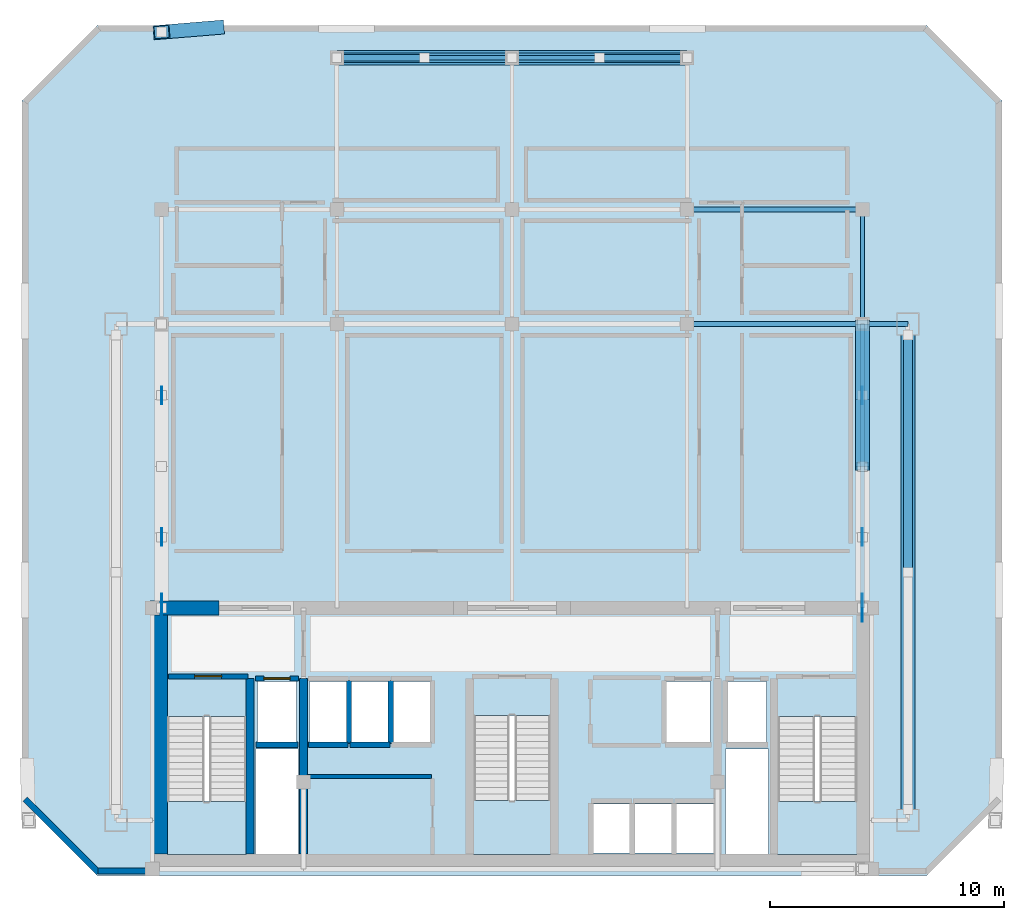
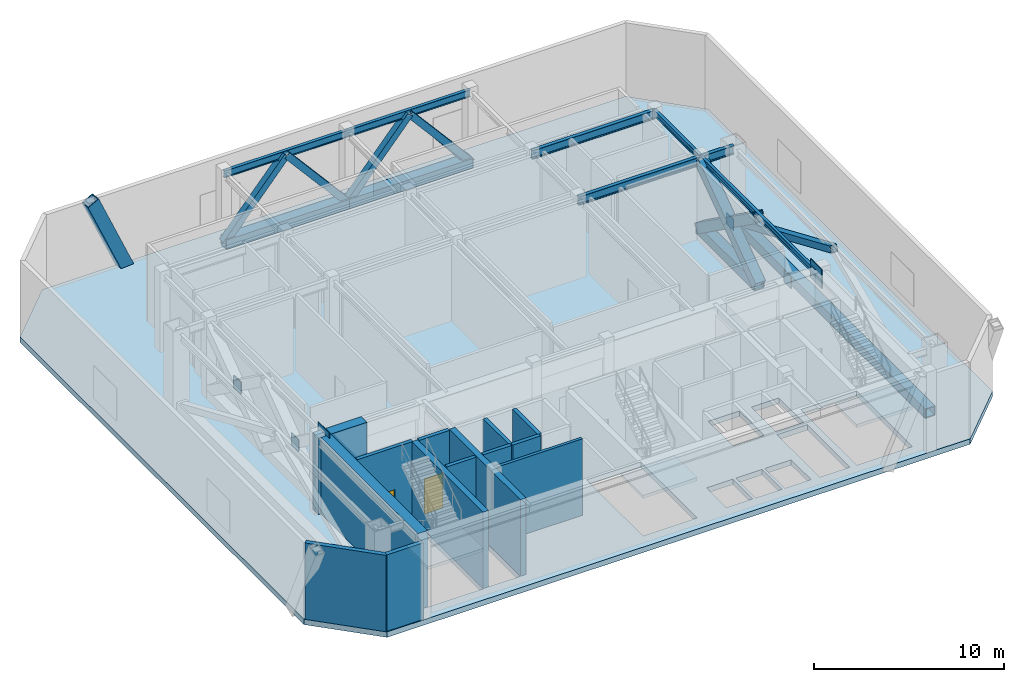
# One storey, part 2 of 7: 15 members, 14 walls, 7 beams, 6 plates, 4 slabs, 2 doors, 2 openings, 3 elements without a shape of their own.
"""IFC4 building model written with IfcOpenShell, lengths in metres."""

from ifc_helpers import new_model, si_unit, direction, frame, frame_2d, origin, origin_2d, place, context, subcontext, project, spatial, polyline, rectangle, hollow_rectangle, hollow_circle, i_section, outline, extrude, material, layer, layer_set, material_profile, profile_set, type_object, element, fill, aggregate, save


model = new_model("IFC4")

# Units and contexts
model_context = context("Model", 3, precision=1e-05, world=origin(), true_north=direction((0.0, 1.0)))
body_context = subcontext(model_context, "Body", "Model", "MODEL_VIEW")
ifc_project = project(units=[si_unit("LENGTHUNIT", "METRE"), si_unit("AREAUNIT", "SQUARE_METRE"), si_unit("VOLUMEUNIT", "CUBIC_METRE"), si_unit("PLANEANGLEUNIT", "RADIAN"), si_unit("MASSUNIT", "GRAM", prefix="KILO")], contexts=[model_context])

# Site, building, storey
site_placement = place(None, origin())
site = spatial("IfcSite", under=ifc_project, at=site_placement, CompositionType="ELEMENT")
building_placement = place(site_placement, origin())
building = spatial("IfcBuilding", under=site, at=building_placement, Name="Ventersveld Concourse Tower", CompositionType="ELEMENT")
storey_placement = place(building_placement, frame((0.0, 0.0, 246.5)))
storey = spatial("IfcBuildingStorey", under=building, at=storey_placement, Name="L61", CompositionType="ELEMENT", Elevation=246.5)

# Members
ifc_material_1 = material(Name="Structural steel S355ML", Category="steel")
ifc_material_profile_1 = material_profile(ifc_material_1, hollow_rectangle(XDim=0.39990234375, YDim=0.39990234375, WallThickness=0.02001953125, at=origin_2d()), Name="SHS 400x400x20")
ifc_profile_set_1 = profile_set([ifc_material_profile_1], Name="Structural steel S355ML")
member_type_1 = type_object("IfcMemberType", Name="BLT-BR-400", PredefinedType="BRACE", material=ifc_profile_set_1)
for number, where, z_axis, x_axis, name in (
    (1, (21.25, 35.0, 0.300048828125), (0.651231204404, 0.0, 0.758879383309), (0.0, 1.0, 0.0), "L61 Belt Truss Chevron Diagonal N1-1"),
    (2, (28.75, 35.0, 0.300048828125), (-0.651231204404, 0.0, 0.758879383309), (0.0, -1.0, 0.0), "L61 Belt Truss Chevron Diagonal N1-2"),
    (3, (28.75, 35.0, 0.300048828125), (0.651231204404, 0.0, 0.758879383309), (0.0, 1.0, 0.0), "L61 Belt Truss Chevron Diagonal N2-1"),
    (4, (36.25, 35.0, 0.300048828125), (-0.651231204404, 0.0, 0.758879383309), (0.0, -1.0, 0.0), "L61 Belt Truss Chevron Diagonal N2-2"),
):
    element("IfcMember", number, at=place(storey_placement, frame(where, z_axis=z_axis, x_axis=x_axis)), inside=storey, type_object=member_type_1, Name=name, PredefinedType="BRACE", context=body_context, shape_type="SweptSolid", body=[
        extrude(hollow_rectangle(XDim=0.39990234375, YDim=0.39990234375, WallThickness=0.02001953125, at=origin_2d()), origin(), (0.0, 0.0, 1.0), 5.75830078125),
    ])
member_1_placement = place(storey_placement, frame((45.699951171875, 23.1298828125, 0.300048828125), z_axis=(0.0, -0.918560318983, 0.395280837368), x_axis=(1.0, 0.0, 0.0)))
element("IfcMember", 5, at=member_1_placement, inside=storey, type_object=member_type_1, Name="L61 Belt Truss Chevron Diagonal E1-2", PredefinedType="BRACE", context=body_context, shape_type="SweptSolid", body=[
    extrude(hollow_rectangle(XDim=0.39990234375, YDim=0.39990234375, WallThickness=0.02001953125, at=origin_2d()), origin(), (0.0, 0.0, 1.0), 11.05517578125),
])

# Beams
ifc_material_2 = material(Name="Structural steel S355J2", Category="steel")
ifc_material_profile_2 = material_profile(ifc_material_2, i_section(OverallWidth=0.17138671875, OverallDepth=0.35498046875, WebThickness=0.00732421875, FlangeThickness=0.011474609375, FilletRadius=0.01025390625, at=origin_2d()), Name="UB 356x171x51")
ifc_profile_set_2 = profile_set([ifc_material_profile_2], Name="Structural steel S355J2")
beam_type_1 = type_object("IfcBeamType", Name="BM-UB356", PredefinedType="BEAM", material=ifc_profile_set_2)
beam_1_placement = place(storey_placement, frame((43.75, 11.449951171875, 4.742431640625), z_axis=(0.0, 1.0, 0.0), x_axis=(-1.0, 0.0, 0.0)))
element("IfcBeam", 6, at=beam_1_placement, inside=storey, type_object=beam_type_1, Name="L61 N-S Composite Floor Beam South X=43.75", PredefinedType="BEAM", context=body_context, shape_type="SweptSolid", body=[
    extrude(i_section(OverallWidth=0.17138671875, OverallDepth=0.35498046875, WebThickness=0.00732421875, FlangeThickness=0.011474609375, FilletRadius=0.01025390625, at=origin_2d()), origin(), (0.0, 0.0, 1.0), 12.150146484375),
])
beam_2_placement = place(storey_placement, frame((43.75, 23.60009765625, 4.742431640625), z_axis=(0.0, 1.0, 0.0), x_axis=(-1.0, 0.0, 0.0)))
element("IfcBeam", 7, at=beam_2_placement, inside=storey, type_object=beam_type_1, Name="L61 N-S Upper-Zone Floor Beam X=43.75", PredefinedType="BEAM", context=body_context, shape_type="SweptSolid", body=[
    extrude(i_section(OverallWidth=0.17138671875, OverallDepth=0.35498046875, WebThickness=0.00732421875, FlangeThickness=0.011474609375, FilletRadius=0.01025390625, at=origin_2d()), origin(), (0.0, 0.0, 1.0), 4.89990234375),
])
ifc_material_profile_3 = material_profile(ifc_material_2, i_section(OverallWidth=0.2119140625, OverallDepth=0.54443359375, WebThickness=0.0126953125, FlangeThickness=0.021240234375, FilletRadius=0.0126953125, at=origin_2d()), Name="UB 533x210x122")
ifc_profile_set_3 = profile_set([ifc_material_profile_3], Name="Structural steel S355J2")
beam_type_2 = type_object("IfcBeamType", Name="GRD-UB533H", PredefinedType="T_BEAM", material=ifc_profile_set_3)
beam_3_placement = place(storey_placement, frame((36.25, 23.60009765625, 4.647705078125), z_axis=(1.0, 0.0, 0.0), x_axis=(0.0, 1.0, 0.0)))
element("IfcBeam", 8, at=beam_3_placement, inside=storey, type_object=beam_type_2, Name="L61 Primary E-W Grid Girder Y=23.60 #5", PredefinedType="T_BEAM", context=body_context, shape_type="SweptSolid", body=[
    extrude(i_section(OverallWidth=0.2119140625, OverallDepth=0.54443359375, WebThickness=0.0126953125, FlangeThickness=0.021240234375, FilletRadius=0.0126953125, at=origin_2d()), origin(), (0.0, 0.0, 1.0), 7.5),
])
beam_4_placement = place(storey_placement, frame((43.75, 23.60009765625, 4.647705078125), z_axis=(1.0, 0.0, 0.0), x_axis=(0.0, 1.0, 0.0)))
element("IfcBeam", 9, at=beam_4_placement, inside=storey, type_object=beam_type_2, Name="L61 Primary E-W Grid Girder Y=23.60 #6", PredefinedType="T_BEAM", context=body_context, shape_type="SweptSolid", body=[
    extrude(i_section(OverallWidth=0.2119140625, OverallDepth=0.54443359375, WebThickness=0.0126953125, FlangeThickness=0.021240234375, FilletRadius=0.0126953125, at=origin_2d()), origin(), (0.0, 0.0, 1.0), 1.949951171875),
])
beam_5_placement = place(storey_placement, frame((36.25, 28.5, 4.647705078125), z_axis=(1.0, 0.0, 0.0), x_axis=(0.0, 1.0, 0.0)))
element("IfcBeam", 10, at=beam_5_placement, inside=storey, type_object=beam_type_2, Name="L61 Upper-North E-W Girder Y=28.50 #4", PredefinedType="T_BEAM", context=body_context, shape_type="SweptSolid", body=[
    extrude(i_section(OverallWidth=0.2119140625, OverallDepth=0.54443359375, WebThickness=0.0126953125, FlangeThickness=0.021240234375, FilletRadius=0.0126953125, at=origin_2d()), origin(), (0.0, 0.0, 1.0), 7.5),
])

# Members
ifc_material_profile_4 = material_profile(ifc_material_1, hollow_rectangle(XDim=0.60009765625, YDim=0.75, WallThickness=0.0400390625, at=origin_2d()), Name="BOX 750x600x40")
ifc_profile_set_4 = profile_set([ifc_material_profile_4], Name="Structural steel S355ML")
member_type_2 = type_object("IfcMemberType", Name="MB-750x600", PredefinedType="BRACE", material=ifc_profile_set_4)
member_2_placement = place(storey_placement, frame((16.078369140625, 36.2890625, -0.35009765625), z_axis=(-0.403904994848, -0.033245823734, 0.914196625645), x_axis=(0.082033575503, -0.996629566334, 0.0)))
element("IfcMember", 11, at=member_2_placement, inside=storey, type_object=member_type_2, Name="L61 Exterior Mega-Brace N (Module M14)", PredefinedType="BRACE", context=body_context, shape_type="SweptSolid", body=[
    extrude(hollow_rectangle(XDim=0.60009765625, YDim=0.75, WallThickness=0.0400390625, at=origin_2d()), origin(), (0.0, 0.0, 1.0), 5.7646484375),
])
ifc_material_profile_5 = material_profile(ifc_material_1, hollow_rectangle(XDim=0.60009765625, YDim=0.60009765625, WallThickness=0.0400390625, at=origin_2d()), Name="BOX 600x600x40")
ifc_profile_set_5 = profile_set([ifc_material_profile_5], Name="Structural steel S355ML")
member_type_3 = type_object("IfcMemberType", Name="OUT-BR-600", PredefinedType="BRACE", material=ifc_profile_set_5)
member_3_placement = place(storey_placement, frame((43.75, 17.5, 4.669921875), z_axis=(0.0, 0.812934702546, -0.58235484835), x_axis=(-1.0, 0.0, 0.0)))
element("IfcMember", 12, at=member_3_placement, inside=storey, type_object=member_type_3, Name="L61 Outrigger Truss Continuous Diagonal E-2A", PredefinedType="BRACE", context=body_context, shape_type="SweptSolid", body=[
    extrude(hollow_rectangle(XDim=0.60009765625, YDim=0.60009765625, WallThickness=0.0400390625, at=origin_2d()), origin(), (0.0, 0.0, 1.0), 7.50390625),
])
member_4_placement = place(storey_placement, frame((43.75, 17.5, 0.300048828125), z_axis=(0.0, 0.812919299661, 0.582376349313), x_axis=(-1.0, 0.0, 0.0)))
element("IfcMember", 13, at=member_4_placement, inside=storey, type_object=member_type_3, Name="L61 Outrigger Truss Split X-Diagonal E-2B1", PredefinedType="BRACE", context=body_context, shape_type="SweptSolid", body=[
    extrude(hollow_rectangle(XDim=0.60009765625, YDim=0.60009765625, WallThickness=0.0400390625, at=origin_2d()), origin(), (0.0, 0.0, 1.0), 3.751953125),
])
member_5_placement = place(storey_placement, frame((43.75, 20.550048828125, 2.485107421875), z_axis=(0.0, 0.812950105446, 0.582333346165), x_axis=(-1.0, 0.0, 0.0)))
element("IfcMember", 14, at=member_5_placement, inside=storey, type_object=member_type_3, Name="L61 Outrigger Truss Split X-Diagonal E-2B2", PredefinedType="BRACE", context=body_context, shape_type="SweptSolid", body=[
    extrude(hollow_rectangle(XDim=0.60009765625, YDim=0.60009765625, WallThickness=0.0400390625, at=origin_2d()), origin(), (0.0, 0.0, 1.0), 3.751708984375),
])
ifc_material_profile_6 = material_profile(ifc_material_1, hollow_rectangle(XDim=0.60009765625, YDim=0.60009765625, WallThickness=0.0400390625, at=origin_2d()), Name="BOX 600x600x40")
ifc_profile_set_6 = profile_set([ifc_material_profile_6], Name="Structural steel S355ML")
member_type_4 = type_object("IfcMemberType", Name="OUT-CH-600", PredefinedType="CHORD", material=ifc_profile_set_6)
member_6_placement = place(storey_placement, frame((43.75, 17.5, 0.300048828125), z_axis=(0.0, 1.0, 0.0), x_axis=(-1.0, 0.0, 0.0)))
element("IfcMember", 15, at=member_6_placement, inside=storey, type_object=member_type_4, Name="L61 Outrigger Truss Bottom Chord E-2", PredefinedType="CHORD", context=body_context, shape_type="SweptSolid", body=[
    extrude(hollow_rectangle(XDim=0.60009765625, YDim=0.60009765625, WallThickness=0.0400390625, at=origin_2d()), origin(), (0.0, 0.0, 1.0), 6.10009765625),
])
for number, where, z_axis, x_axis, name in (
    (16, (21.25, 35.0, 0.300048828125), (1.0, 0.0, 0.0), (0.0, 1.0, 0.0), "L61 Belt Truss Bottom Chord N1"),
    (17, (28.75, 35.0, 0.300048828125), (1.0, 0.0, 0.0), (0.0, 1.0, 0.0), "L61 Belt Truss Bottom Chord N2"),
):
    element("IfcMember", number, at=place(storey_placement, frame(where, z_axis=z_axis, x_axis=x_axis)), inside=storey, type_object=member_type_4, Name=name, PredefinedType="CHORD", context=body_context, shape_type="SweptSolid", body=[
        extrude(hollow_rectangle(XDim=0.60009765625, YDim=0.60009765625, WallThickness=0.0400390625, at=origin_2d()), origin(), (0.0, 0.0, 1.0), 7.5),
    ])
member_7_placement = place(storey_placement, frame((45.699951171875, 2.820068359375, 0.300048828125), z_axis=(0.0, 1.0, 0.0), x_axis=(-1.0, 0.0, 0.0)))
element("IfcMember", 18, at=member_7_placement, inside=storey, type_object=member_type_4, Name="L61 Belt Truss Bottom Chord E1", PredefinedType="CHORD", context=body_context, shape_type="SweptSolid", body=[
    extrude(hollow_rectangle(XDim=0.60009765625, YDim=0.60009765625, WallThickness=0.0400390625, at=origin_2d()), origin(), (0.0, 0.0, 1.0), 20.309814453125),
])

# Beams
ifc_material_profile_7 = material_profile(ifc_material_2, i_section(OverallWidth=0.19140625, OverallDepth=0.4599609375, WebThickness=0.010009765625, FlangeThickness=0.01611328125, FilletRadius=0.01025390625, at=origin_2d()), Name="UB 457x191x82")
ifc_profile_set_7 = profile_set([ifc_material_profile_7], Name="Structural steel S355J2")
beam_type_3 = type_object("IfcBeamType", Name="SPD-UB457", PredefinedType="SPANDREL", material=ifc_profile_set_7)
for number, where, z_axis, x_axis, name in (
    (19, (21.25, 35.0, 4.68994140625), (1.0, 0.0, 0.0), (0.0, 1.0, 0.0), "L61 Terrace Edge Spandrel W"),
    (20, (28.75, 35.0, 4.68994140625), (1.0, 0.0, 0.0), (0.0, 1.0, 0.0), "L61 Terrace Edge Spandrel E"),
):
    element("IfcBeam", number, at=place(storey_placement, frame(where, z_axis=z_axis, x_axis=x_axis)), inside=storey, type_object=beam_type_3, Name=name, PredefinedType="SPANDREL", context=body_context, shape_type="SweptSolid", body=[
        extrude(i_section(OverallWidth=0.19140625, OverallDepth=0.4599609375, WebThickness=0.010009765625, FlangeThickness=0.01611328125, FilletRadius=0.01025390625, at=origin_2d()), origin(), (0.0, 0.0, 1.0), 7.5),
    ])

# Members
ifc_material_profile_8 = material_profile(ifc_material_1, hollow_circle(Radius=0.136474609375, WallThickness=0.012451171875, at=origin_2d()), Name="CHS 273x12.5")
ifc_profile_set_8 = profile_set([ifc_material_profile_8], Name="Structural steel S355ML")
member_type_5 = type_object("IfcMemberType", Name="STR-SG-273", PredefinedType="STRUT", material=ifc_profile_set_8)
for number, where, z_axis, x_axis, name in (
    (21, (21.25, 35.0, 0.0), (0.626125687411, 0.0, 0.779722145103), (0.0, 1.0, 0.0), "L61 Sky Garden Base Support Strut W"),
    (22, (36.25, 35.0, 0.0), (-0.626125687411, 0.0, 0.779722145103), (0.0, -1.0, 0.0), "L61 Sky Garden Base Support Strut E"),
):
    element("IfcMember", number, at=place(storey_placement, frame(where, z_axis=z_axis, x_axis=x_axis)), inside=storey, type_object=member_type_5, Name=name, PredefinedType="STRUT", context=body_context, shape_type="SweptSolid", body=[
        extrude(hollow_circle(Radius=0.136474609375, WallThickness=0.012451171875, at=origin_2d()), origin(), (0.0, 0.0, 1.0), 5.9892578125),
    ])

# Plates
ifc_layer_1 = layer(ifc_material_2, 0.0400390625)
ifc_layer_set_1 = layer_set([ifc_layer_1], Name="Structural steel S355J2")
plate_type = type_object("IfcPlateType", Name="PL-GUSSET-40", PredefinedType="USERDEFINED", material=ifc_layer_set_1)
for number, where, z_axis, x_axis, name in (
    (23, (13.75, 14.47509765625, 2.110107421875), (0.0, 0.0, 1.0), (1.0, 0.0, 0.0), "L61 Outrigger X-Crossing Gusset Plate W-1"),
    (24, (13.75, 20.550048828125, 2.110107421875), (0.0, 0.0, 1.0), (1.0, 0.0, 0.0), "L61 Outrigger X-Crossing Gusset Plate W-2"),
):
    element("IfcPlate", number, at=place(storey_placement, frame(where, z_axis=z_axis, x_axis=x_axis)), inside=storey, type_object=plate_type, Name=name, ObjectType="GUSSET_PLATE", PredefinedType="USERDEFINED", context=body_context, shape_type="SweptSolid", body=[
        extrude(rectangle(XDim=0.0400390625, YDim=0.75, at=origin_2d()), origin(), (0.0, 0.0, 1.0), 0.75),
    ])
plate_1_placement = place(storey_placement, frame((13.75, 11.449951171875, 4.06982421875), z_axis=(0.0, 0.0, 1.0), x_axis=(1.0, 0.0, 0.0)))
element("IfcPlate", 25, at=plate_1_placement, inside=storey, type_object=plate_type, Name="L61 Outrigger Core Gusset Node Plate W", ObjectType="GUSSET_PLATE", PredefinedType="USERDEFINED", context=body_context, shape_type="SweptSolid", body=[
    extrude(rectangle(XDim=0.0400390625, YDim=1.199951171875, at=origin_2d()), origin(), (0.0, 0.0, 1.0), 1.199951171875),
])
for number, where, z_axis, x_axis, name in (
    (26, (43.75, 14.47509765625, 2.110107421875), (0.0, 0.0, 1.0), (1.0, 0.0, 0.0), "L61 Outrigger X-Crossing Gusset Plate E-1"),
    (27, (43.75, 20.550048828125, 2.110107421875), (0.0, 0.0, 1.0), (1.0, 0.0, 0.0), "L61 Outrigger X-Crossing Gusset Plate E-2"),
):
    element("IfcPlate", number, at=place(storey_placement, frame(where, z_axis=z_axis, x_axis=x_axis)), inside=storey, type_object=plate_type, Name=name, ObjectType="GUSSET_PLATE", PredefinedType="USERDEFINED", context=body_context, shape_type="SweptSolid", body=[
        extrude(rectangle(XDim=0.0400390625, YDim=0.75, at=origin_2d()), origin(), (0.0, 0.0, 1.0), 0.75),
    ])
plate_2_placement = place(storey_placement, frame((43.75, 11.449951171875, 4.06982421875), z_axis=(0.0, 0.0, 1.0), x_axis=(1.0, 0.0, 0.0)))
element("IfcPlate", 28, at=plate_2_placement, inside=storey, type_object=plate_type, Name="L61 Outrigger Core Gusset Node Plate E", ObjectType="GUSSET_PLATE", PredefinedType="USERDEFINED", context=body_context, shape_type="SweptSolid", body=[
    extrude(rectangle(XDim=0.0400390625, YDim=1.199951171875, at=origin_2d()), origin(), (0.0, 0.0, 1.0), 1.199951171875),
])

# Slab
ifc_material_3 = material(Name="Concrete C50/60", Category="concrete")
ifc_layer_2 = layer(ifc_material_3, 0.35009765625)
ifc_layer_set_2 = layer_set([ifc_layer_2], Name="Concrete C50/60")
slab_type_1 = type_object("IfcSlabType", Name="SL-FLR-350", PredefinedType="FLOOR", material=ifc_layer_set_2)
slab_1_placement = place(storey_placement, frame((0.0, 0.0, -0.35009765625)))
element("IfcSlab", 29, at=slab_1_placement, inside=storey, type_object=slab_type_1, Name="L61 Composite Floor Slab", PredefinedType="FLOOR", context=body_context, shape_type="SweptSolid", body=[
    extrude(outline(polyline([(10.984375, 0.0), (46.515625, 0.0), (49.715576171875, 3.199951171875), (49.715576171875, 33.177490234375), (46.515625, 36.37744140625), (10.984375, 36.37744140625), (7.784423828125, 33.177490234375), (7.784423828125, 3.199951171875), (10.984375, 0.0)]), holes=[polyline([(13.97998046875, 6.794921875), (13.97998046875, 0.89990234375), (17.3798828125, 0.89990234375), (17.3798828125, 6.794921875), (13.97998046875, 6.794921875)]), polyline([(40.1201171875, 6.794921875), (40.1201171875, 0.89990234375), (43.52001953125, 0.89990234375), (43.52001953125, 6.794921875), (40.1201171875, 6.794921875)]), polyline([(27.10009765625, 6.844970703125), (27.10009765625, 0.89990234375), (30.39990234375, 0.89990234375), (30.39990234375, 6.844970703125), (27.10009765625, 6.844970703125)]), polyline([(17.85009765625, 5.699951171875), (19.530029296875, 5.699951171875), (19.530029296875, 8.300048828125), (17.85009765625, 8.300048828125), (17.85009765625, 5.699951171875)]), polyline([(37.969970703125, 5.699951171875), (39.64990234375, 5.699951171875), (39.64990234375, 8.300048828125), (37.969970703125, 8.300048828125), (37.969970703125, 5.699951171875)]), polyline([(35.35009765625, 5.699951171875), (37.25, 5.699951171875), (37.25, 8.300048828125), (35.35009765625, 8.300048828125), (35.35009765625, 5.699951171875)]), polyline([(32.2099609375, 0.949951171875), (33.81005859375, 0.949951171875), (33.81005859375, 3.050048828125), (32.2099609375, 3.050048828125), (32.2099609375, 0.949951171875)]), polyline([(33.989990234375, 0.949951171875), (35.590087890625, 0.949951171875), (35.590087890625, 3.050048828125), (33.989990234375, 3.050048828125), (33.989990234375, 0.949951171875)]), polyline([(35.77001953125, 0.949951171875), (37.3701171875, 0.949951171875), (37.3701171875, 3.050048828125), (35.77001953125, 3.050048828125), (35.77001953125, 0.949951171875)]), polyline([(20.090087890625, 5.699951171875), (21.68994140625, 5.699951171875), (21.68994140625, 8.300048828125), (20.090087890625, 8.300048828125), (20.090087890625, 5.699951171875)]), polyline([(21.8701171875, 5.699951171875), (23.469970703125, 5.699951171875), (23.469970703125, 8.300048828125), (21.8701171875, 8.300048828125), (21.8701171875, 5.699951171875)]), polyline([(23.64990234375, 5.699951171875), (25.25, 5.699951171875), (25.25, 8.300048828125), (23.64990234375, 8.300048828125), (23.64990234375, 5.699951171875)]), polyline([(17.780029296875, 0.919921875), (19.6201171875, 0.919921875), (19.6201171875, 5.419921875), (17.780029296875, 5.419921875), (17.780029296875, 0.919921875)]), polyline([(37.8798828125, 0.919921875), (39.719970703125, 0.919921875), (39.719970703125, 5.419921875), (37.8798828125, 5.419921875), (37.8798828125, 0.919921875)])]), origin(), (0.0, 0.0, 1.0), 0.35009765625),
])

# Stair, slab
stair_type_1 = type_object("IfcStairType", Name="ST-DOG-160", PredefinedType="HALF_TURN_STAIR", material=ifc_material_3)
stair_1_placement = place(storey_placement, origin())
stair_1 = element("IfcStair", 30, at=stair_1_placement, inside=storey, type_object=stair_type_1, Name="L61 Protected Tower Escape Stair ST-01", PredefinedType="HALF_TURN_STAIR")
ifc_layer_3 = layer(ifc_material_3, 0.199951171875)
ifc_layer_set_3 = layer_set([ifc_layer_3], Name="Concrete C50/60")
slab_type_2 = type_object("IfcSlabType", Name="SL-LND-200", PredefinedType="LANDING", material=ifc_layer_set_3)
slab_2_placement = place(storey_placement, frame((0.0, 0.0, 2.39990234375)))
slab_2 = element("IfcSlab", 31, at=slab_2_placement, type_object=slab_type_2, Name="ST-01 landing 1", PredefinedType="LANDING", context=body_context, shape_type="SweptSolid", body=[
    extrude(outline(polyline([(13.97998046875, 3.159912109375), (13.97998046875, 0.89990234375), (17.3798828125, 0.89990234375), (17.3798828125, 3.159912109375), (13.97998046875, 3.159912109375)])), origin(), (0.0, 0.0, 1.0), 0.2001953125),
])
aggregate(stair_1, [slab_2])

stair_2_placement = place(storey_placement, origin())
stair_2 = element("IfcStair", 32, at=stair_2_placement, inside=storey, type_object=stair_type_1, Name="L61 Protected Tower Escape Stair ST-02", PredefinedType="HALF_TURN_STAIR")
slab_3_placement = place(storey_placement, frame((0.0, 0.0, 2.39990234375)))
slab_3 = element("IfcSlab", 33, at=slab_3_placement, type_object=slab_type_2, Name="ST-02 landing 1", PredefinedType="LANDING", context=body_context, shape_type="SweptSolid", body=[
    extrude(outline(polyline([(40.1201171875, 3.159912109375), (40.1201171875, 0.89990234375), (43.52001953125, 0.89990234375), (43.52001953125, 3.159912109375), (40.1201171875, 3.159912109375)])), origin(), (0.0, 0.0, 1.0), 0.2001953125),
])
aggregate(stair_2, [slab_3])

stair_type_2 = type_object("IfcStairType", Name="ST-DOG-155", PredefinedType="HALF_TURN_STAIR", material=ifc_material_3)
stair_3_placement = place(storey_placement, origin())
stair_3 = element("IfcStair", 34, at=stair_3_placement, inside=storey, type_object=stair_type_2, Name="L61 Protected Central Core Escape Stair ST-03", PredefinedType="HALF_TURN_STAIR")
slab_4_placement = place(storey_placement, frame((0.0, 0.0, 2.39990234375)))
slab_4 = element("IfcSlab", 35, at=slab_4_placement, type_object=slab_type_2, Name="ST-03 landing 1", PredefinedType="LANDING", context=body_context, shape_type="SweptSolid", body=[
    extrude(outline(polyline([(27.10009765625, 3.2099609375), (27.10009765625, 0.89990234375), (30.39990234375, 0.89990234375), (30.39990234375, 3.2099609375), (27.10009765625, 3.2099609375)])), origin(), (0.0, 0.0, 1.0), 0.2001953125),
])
aggregate(stair_3, [slab_4])

# Walls
ifc_layer_4 = layer(ifc_material_3, 0.35009765625)
ifc_layer_set_4 = layer_set([ifc_layer_4], Name="Concrete C50/60")
wall_type_1 = type_object("IfcWallType", Name="WL-CORE-350U", PredefinedType="SHEAR", material=ifc_layer_set_4)
for number, where, z_axis, x_axis, name in (
    (36, (17.5400390625, 0.919921875, 0.0), (0.0, 0.0, 1.0), (0.0, 1.0, 0.0), "L61 Core Internal Shear Web W-ST1-E"),
    (37, (19.820068359375, 0.919921875, 0.0), (0.0, 0.0, 1.0), (0.0, 1.0, 0.0), "L61 Core Internal Shear Web W-FF1-E"),
):
    element("IfcWall", number, at=place(storey_placement, frame(where, z_axis=z_axis, x_axis=x_axis)), inside=storey, type_object=wall_type_1, Name=name, PredefinedType="SHEAR", context=body_context, shape_type="SweptSolid", body=[
        extrude(rectangle(XDim=7.5, YDim=0.35009765625, at=frame_2d((3.75, 0.0))), origin(), (0.0, 0.0, 1.0), 4.919921875),
    ])
ifc_layer_5 = layer(ifc_material_3, 0.60009765625)
ifc_layer_set_5 = layer_set([ifc_layer_5], Name="Concrete C50/60")
wall_type_2 = type_object("IfcWallType", Name="WL-CORE-600", PredefinedType="SHEAR", material=ifc_layer_set_5)
wall_1_placement = place(storey_placement, frame((13.699951171875, 0.919921875, 0.0), z_axis=(0.0, 0.0, 1.0), x_axis=(0.0, 1.0, 0.0)))
element("IfcWall", 38, at=wall_1_placement, inside=storey, type_object=wall_type_2, Name="L61 Rear Core West Shear Wall", PredefinedType="SHEAR", context=body_context, shape_type="SweptSolid", body=[
    extrude(rectangle(XDim=10.530029296875, YDim=0.60009765625, at=frame_2d((5.26513671875, 0.0))), origin(), (0.0, 0.0, 1.0), 4.919921875),
])
wall_2_placement = place(storey_placement, frame((13.25, 11.449951171875, 0.0), z_axis=(0.0, 0.0, 1.0), x_axis=(1.0, 0.0, 0.0)))
element("IfcWall", 39, at=wall_2_placement, inside=storey, type_object=wall_type_2, Name="L61 Rear Core North Shear Wall NW", PredefinedType="SHEAR", context=body_context, shape_type="SweptSolid", body=[
    extrude(rectangle(XDim=2.949951171875, YDim=0.60009765625, at=frame_2d((1.47509765625, 0.0))), origin(), (0.0, 0.0, 1.0), 4.919921875),
])
ifc_material_4 = material(Name="Fire-rated autoclaved aerated masonry blockwork", Category="masonry")
ifc_layer_6 = layer(ifc_material_4, 0.179931640625)
ifc_layer_set_6 = layer_set([ifc_layer_6], Name="Fire-rated autoclaved aerated masonry blockwork")
wall_type_3 = type_object("IfcWallType", Name="WL-CORR-180", PredefinedType="PARTITIONING", material=ifc_layer_set_6)
wall_3_placement = place(storey_placement, frame((19.97998046875, 4.22998046875, 0.0), z_axis=(0.0, 0.0, 1.0), x_axis=(1.0, 0.0, 0.0)))
element("IfcWall", 40, at=wall_3_placement, inside=storey, type_object=wall_type_3, Name="L61 Core Top Wall SP-L61-RECB1A", PredefinedType="PARTITIONING", context=body_context, shape_type="SweptSolid", body=[
    extrude(rectangle(XDim=5.320068359375, YDim=0.179931640625, at=frame_2d((2.66015625, 0.0))), origin(), (0.0, 0.0, 1.0), 4.919921875),
])
ifc_layer_7 = layer(ifc_material_4, 0.219970703125)
ifc_layer_set_7 = layer_set([ifc_layer_7], Name="Fire-rated autoclaved aerated masonry blockwork")
wall_type_4 = type_object("IfcWallType", Name="WL-HOIST-220", PredefinedType="SOLIDWALL", material=ifc_layer_set_7)
wall_4_placement = place(storey_placement, frame((17.800048828125, 5.590087890625, 0.0), z_axis=(0.0, 0.0, 1.0), x_axis=(1.0, 0.0, 0.0)))
element("IfcWall", 41, at=wall_4_placement, inside=storey, type_object=wall_type_4, Name="L61 Lift Hoistway Back Wall FFL-01", PredefinedType="SOLIDWALL", context=body_context, shape_type="SweptSolid", body=[
    extrude(rectangle(XDim=1.780029296875, YDim=0.219970703125, at=frame_2d((0.89013671875, 0.0))), origin(), (0.0, 0.0, 1.0), 4.919921875),
])

# Wall, opening, door
wall_5_placement = place(storey_placement, frame((17.780029296875, 8.429931640625, 0.0), z_axis=(0.0, 0.0, 1.0), x_axis=(1.0, 0.0, 0.0)))
wall_5 = element("IfcWall", 42, at=wall_5_placement, inside=storey, type_object=wall_type_4, Name="L61 Lift Hoistway Front Wall FFL-01", PredefinedType="SOLIDWALL", context=body_context, shape_type="SweptSolid", body=[
    extrude(rectangle(XDim=1.820068359375, YDim=0.219970703125, at=frame_2d((0.91015625, 0.0))), origin(), (0.0, 0.0, 1.0), 4.919921875),
])
opening_1_placement = place(wall_5_placement, frame((0.35009765625, 0.0, 0.0)))
opening_1 = element("IfcOpeningElement", 43, at=opening_1_placement, cuts=wall_5, Name="Opening LD1", PredefinedType="OPENING", context=body_context, shape_type="SweptSolid", body=[
    extrude(rectangle(XDim=1.1201171875, YDim=2.25, at=frame_2d((0.56005859375, 1.125))), frame((0.0, 0.1201171875, 0.0), z_axis=(0.0, -1.0, 0.0), x_axis=(1.0, 0.0, 0.0)), (0.0, 0.0, 1.0), 0.239990234375),
])
ifc_material_5 = material(Name="Brushed stainless steel 316", Category="steel")
door_type_1 = type_object("IfcDoorType", Name="LD-FF-112", OperationType="SLIDING_TO_LEFT", PredefinedType="DOOR", material=ifc_material_5)
door_1_placement = place(opening_1_placement, origin())
door_1 = element("IfcDoor", 44, at=door_1_placement, inside=storey, type_object=door_type_1, Name="L61 Lift landing door FFL-01 (LD-L61-FFL-01)", OperationType="SLIDING_TO_LEFT", OverallHeight=2.25, OverallWidth=1.1201171875, PredefinedType="DOOR", context=body_context, shape_type="SweptSolid", body=[
    extrude(rectangle(XDim=1.1201171875, YDim=2.25, at=frame_2d((0.56005859375, 1.125))), frame((0.0, 0.02490234375, 0.0), z_axis=(0.0, -1.0, 0.0), x_axis=(1.0, 0.0, 0.0)), (0.0, 0.0, 1.0), 0.050048828125),
])
fill(opening_1, door_1)

# Walls
wall_6_placement = place(storey_placement, frame((20.0400390625, 5.590087890625, 0.0), z_axis=(0.0, 0.0, 1.0), x_axis=(1.0, 0.0, 0.0)))
element("IfcWall", 45, at=wall_6_placement, inside=storey, type_object=wall_type_4, Name="L61 Lift Hoistway Back Wall PH-01", PredefinedType="SOLIDWALL", context=body_context, shape_type="SweptSolid", body=[
    extrude(rectangle(XDim=1.699951171875, YDim=0.219970703125, at=frame_2d((0.85009765625, 0.0))), origin(), (0.0, 0.0, 1.0), 4.919921875),
])
wall_7_placement = place(storey_placement, frame((21.780029296875, 5.64990234375, 0.0), z_axis=(0.0, 0.0, 1.0), x_axis=(0.0, 1.0, 0.0)))
element("IfcWall", 46, at=wall_7_placement, inside=storey, type_object=wall_type_4, Name="L61 Lift Hoistway Side Wall PH-01E", PredefinedType="SOLIDWALL", context=body_context, shape_type="SweptSolid", body=[
    extrude(rectangle(XDim=2.7001953125, YDim=0.219970703125, at=frame_2d((1.35009765625, 0.0))), origin(), (0.0, 0.0, 1.0), 4.919921875),
])
wall_8_placement = place(storey_placement, frame((21.820068359375, 5.590087890625, 0.0), z_axis=(0.0, 0.0, 1.0), x_axis=(1.0, 0.0, 0.0)))
element("IfcWall", 47, at=wall_8_placement, inside=storey, type_object=wall_type_4, Name="L61 Lift Hoistway Back Wall PH-02", PredefinedType="SOLIDWALL", context=body_context, shape_type="SweptSolid", body=[
    extrude(rectangle(XDim=1.699951171875, YDim=0.219970703125, at=frame_2d((0.85009765625, 0.0))), origin(), (0.0, 0.0, 1.0), 4.919921875),
])
wall_9_placement = place(storey_placement, frame((23.56005859375, 5.64990234375, 0.0), z_axis=(0.0, 0.0, 1.0), x_axis=(0.0, 1.0, 0.0)))
element("IfcWall", 48, at=wall_9_placement, inside=storey, type_object=wall_type_4, Name="L61 Lift Hoistway Side Wall PH-02E", PredefinedType="SOLIDWALL", context=body_context, shape_type="SweptSolid", body=[
    extrude(rectangle(XDim=2.7001953125, YDim=0.219970703125, at=frame_2d((1.35009765625, 0.0))), origin(), (0.0, 0.0, 1.0), 4.919921875),
])

# Wall, opening, door
wall_10_placement = place(storey_placement, frame((14.0400390625, 8.52001953125, 0.0), z_axis=(0.0, 0.0, 1.0), x_axis=(1.0, 0.0, 0.0)))
wall_10 = element("IfcWall", 49, at=wall_10_placement, inside=storey, type_object=wall_type_4, Name="L61 Escape Stair ST01 Fire Wall", PredefinedType="SOLIDWALL", context=body_context, shape_type="SweptSolid", body=[
    extrude(rectangle(XDim=3.39990234375, YDim=0.219970703125, at=frame_2d((1.699951171875, 0.0))), origin(), (0.0, 0.0, 1.0), 4.919921875),
])
opening_2_placement = place(wall_10_placement, frame((1.125, 0.0, 0.0)))
opening_2 = element("IfcOpeningElement", 50, at=opening_2_placement, cuts=wall_10, Name="Opening FD1", PredefinedType="OPENING", context=body_context, shape_type="SweptSolid", body=[
    extrude(rectangle(XDim=1.14990234375, YDim=2.199951171875, at=frame_2d((0.574951171875, 1.10009765625))), frame((0.0, 0.1201171875, 0.0), z_axis=(0.0, -1.0, 0.0), x_axis=(1.0, 0.0, 0.0)), (0.0, 0.0, 1.0), 0.239990234375),
])
ifc_material_6 = material(Name="Galvanised painted steel", Category="steel")
door_type_2 = type_object("IfcDoorType", Name="DR-STAIR-115", OperationType="NOTDEFINED", PredefinedType="DOOR", material=ifc_material_6)
door_2_placement = place(opening_2_placement, origin())
door_2 = element("IfcDoor", 51, at=door_2_placement, inside=storey, type_object=door_type_2, Name="L61 Escape Stair Door ST01 (SD-L61-2911)", OperationType="SINGLE_SWING_LEFT", OverallHeight=2.199951171875, OverallWidth=1.14990234375, PredefinedType="DOOR", context=body_context, shape_type="SweptSolid", body=[
    extrude(rectangle(XDim=1.14990234375, YDim=2.199951171875, at=frame_2d((0.574951171875, 1.10009765625))), frame((0.0, 0.02490234375, 0.0), z_axis=(0.0, -1.0, 0.0), x_axis=(1.0, 0.0, 0.0)), (0.0, 0.0, 1.0), 0.050048828125),
])
fill(opening_2, door_2)

# Walls
ifc_material_7 = material(Name="Precast concrete C45/55", Category="concrete")
ifc_layer_8 = layer(ifc_material_7, 0.260009765625)
ifc_layer_set_8 = layer_set([ifc_layer_8], Name="Precast concrete C45/55")
wall_type_5 = type_object("IfcWallType", Name="WL-PREC-260", PredefinedType="SOLIDWALL", material=ifc_layer_set_8)
wall_11_placement = place(storey_placement, frame((11.0244140625, 0.179931640625, 0.0), z_axis=(0.0, 0.0, 1.0), x_axis=(1.0, 0.0, 0.0)))
element("IfcWall", 52, at=wall_11_placement, inside=storey, type_object=wall_type_5, Name="L61 South-West Flank Precast Wall", PredefinedType="SOLIDWALL", context=body_context, shape_type="SweptSolid", body=[
    extrude(rectangle(XDim=2.2255859375, YDim=0.260009765625, at=frame_2d((1.11279296875, 0.0))), origin(), (0.0, 0.0, 1.0), 4.919921875),
])
wall_12_placement = place(storey_placement, frame((7.904541015625, 3.263671875, 0.0), z_axis=(0.0, 0.0, 1.0), x_axis=(0.707106781187, -0.707106781187, 0.0)))
element("IfcWall", 53, at=wall_12_placement, inside=storey, type_object=wall_type_5, Name="L61 Highveld Precast Facade Wall E08", PredefinedType="SOLIDWALL", context=body_context, shape_type="SweptSolid", body=[
    extrude(rectangle(XDim=4.445556640625, YDim=0.260009765625, at=frame_2d((2.22265625, 0.0))), origin(), (0.0, 0.0, 1.0), 4.919921875),
])

save(model, "model.ifc")
